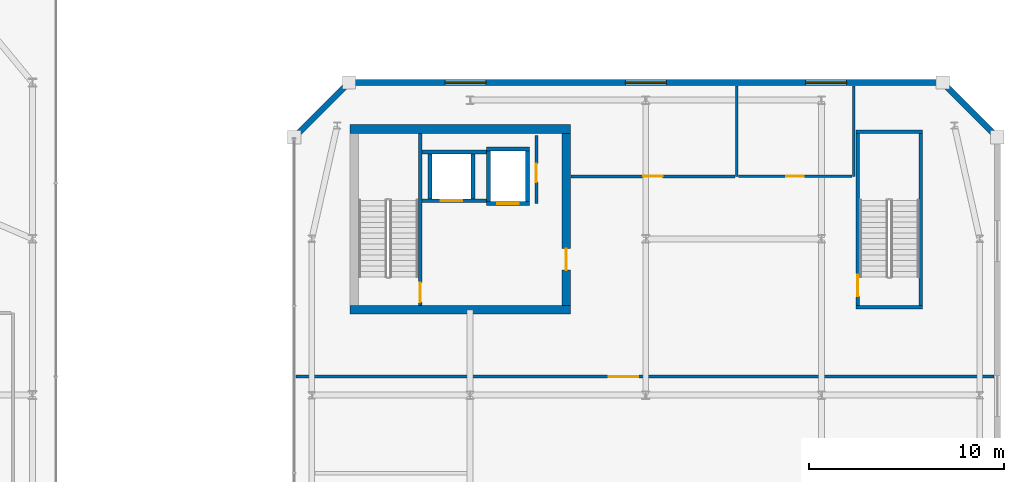
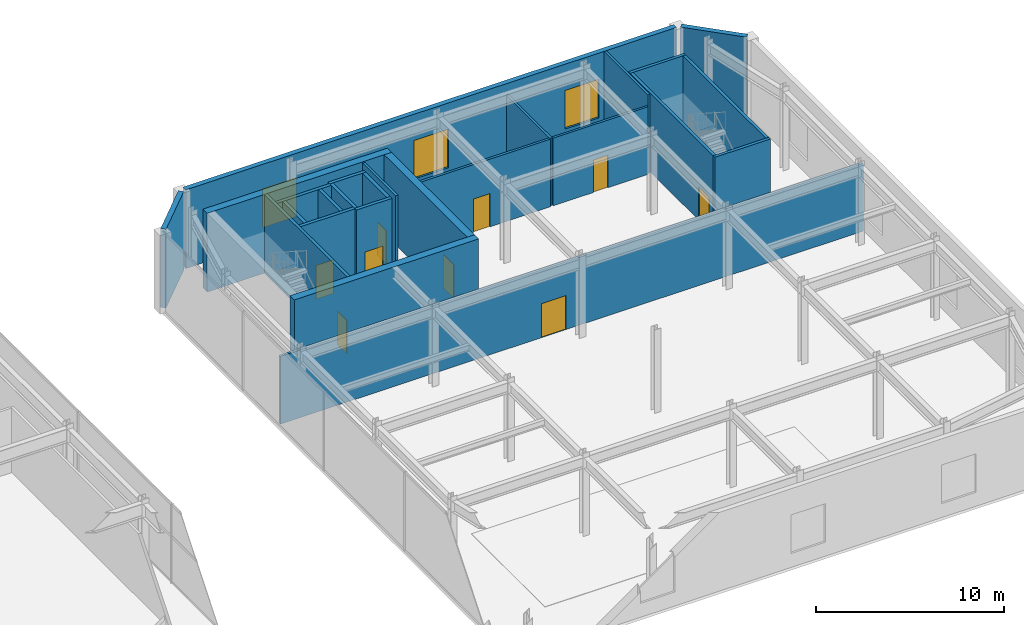
# One storey, part 42 of 51: 25 walls, 9 doors, 3 windows, 12 openings.
"""IFC4 building model written with IfcOpenShell, lengths in metres."""

from ifc_helpers import new_model, si_unit, direction, frame, frame_2d, origin, place, context, subcontext, project, spatial, rectangle, extrude, material, layer, layer_set, type_object, element, fill, save


model = new_model("IFC4")

# Units and contexts
model_context = context("Model", 3, precision=1e-05, world=origin(), true_north=direction((0.0, 1.0)))
body_context = subcontext(model_context, "Body", "Model", "MODEL_VIEW")
ifc_project = project(units=[si_unit("LENGTHUNIT", "METRE"), si_unit("AREAUNIT", "SQUARE_METRE"), si_unit("VOLUMEUNIT", "CUBIC_METRE"), si_unit("PLANEANGLEUNIT", "RADIAN"), si_unit("MASSUNIT", "GRAM", prefix="KILO")], contexts=[model_context])

# Site, building, storey
site_placement = place(None, origin())
site = spatial("IfcSite", under=ifc_project, at=site_placement, CompositionType="ELEMENT")
building_placement = place(site_placement, origin())
building = spatial("IfcBuilding", under=site, at=building_placement, Name="Saevonmaru Cultural Tower", CompositionType="ELEMENT")
storey_placement = place(building_placement, frame((0.0, 0.0, 6.0)))
storey = spatial("IfcBuildingStorey", under=building, at=storey_placement, Name="L01", CompositionType="ELEMENT", Elevation=6.0)

# Wall, opening, door
ifc_material_1 = material(Name="Gypsum Fireboard Partition", Category="gypsum")
ifc_layer_1 = layer(ifc_material_1, 0.14990234375, Name="Gypsum Fireboard Partition")
ifc_layer_set_1 = layer_set([ifc_layer_1], Name="Gypsum Fireboard Partition")
wall_type_1 = type_object("IfcWallType", Name="WL-CORE-PART-150", PredefinedType="PARTITIONING", material=ifc_layer_set_1)
wall_1_placement = place(storey_placement, frame((84.60009765625, 41.800048828125, 0.0), z_axis=(0.0, 0.0, 1.0), x_axis=(0.0, 1.0, 0.0)))
wall_1 = element("IfcWall", 1, at=wall_1_placement, inside=storey, type_object=wall_type_1, Name="L01 Library Core Riser Wall", PredefinedType="PARTITIONING", context=body_context, shape_type="SweptSolid", body=[
    extrude(rectangle(XDim=3.5, YDim=0.14990234375, at=frame_2d((1.75, 0.0))), origin(), (0.0, 0.0, 1.0), 5.10009765625),
])
opening_1_placement = place(wall_1_placement, frame((1.10009765625, 0.0, 0.0)))
opening_1 = element("IfcOpeningElement", 2, at=opening_1_placement, cuts=wall_1, Name="Opening FD-4", PredefinedType="OPENING", context=body_context, shape_type="SweptSolid", body=[
    extrude(rectangle(XDim=0.949951171875, YDim=2.14990234375, at=frame_2d((0.47509765625, 1.074951171875))), frame((0.0, 0.0849609375, 0.0), z_axis=(0.0, -1.0, 0.0), x_axis=(1.0, 0.0, 0.0)), (0.0, 0.0, 1.0), 0.169921875),
])
ifc_material_2 = material(Name="Satin Bronze Anodised Aluminium", Category="aluminium")
door_type_1 = type_object("IfcDoorType", Name="DR-FD60-950", OperationType="SINGLE_SWING_LEFT", PredefinedType="DOOR", material=ifc_material_2)
door_1_placement = place(opening_1_placement, origin())
door_1 = element("IfcDoor", 3, at=door_1_placement, inside=storey, type_object=door_type_1, Name="L01 Library Core Riser Plant Door", OperationType="SINGLE_SWING_LEFT", OverallHeight=2.14990234375, OverallWidth=0.949951171875, PredefinedType="DOOR", context=body_context, shape_type="SweptSolid", body=[
    extrude(rectangle(XDim=0.949951171875, YDim=2.14990234375, at=frame_2d((0.47509765625, 1.074951171875))), frame((0.0, 0.02490234375, 0.0), z_axis=(0.0, -1.0, 0.0), x_axis=(1.0, 0.0, 0.0)), (0.0, 0.0, 1.0), 0.050048828125),
])
fill(opening_1, door_1)

# Wall
ifc_material_3 = material(Name="Warm Limestone Precast Concrete C40/50", Category="masonry")
ifc_layer_2 = layer(ifc_material_3, 0.300048828125, Name="Warm Limestone Precast Concrete C40/50")
ifc_layer_set_2 = layer_set([ifc_layer_2], Name="Warm Limestone Precast Concrete C40/50")
wall_type_2 = type_object("IfcWallType", Name="WL-EXT-LIB-300", PredefinedType="STANDARD", material=ifc_layer_set_2)
wall_2_placement = place(storey_placement, frame((108.0869140625, 45.31298828125, 0.0), z_axis=(0.0, 0.0, 1.0), x_axis=(-0.707073244381, 0.707140316402, 0.0)))
element("IfcWall", 4, at=wall_2_placement, inside=storey, type_object=wall_type_2, Name="L01 Central Library Fluted Stone Wall E5", PredefinedType="STANDARD", context=body_context, shape_type="SweptSolid", body=[
    extrude(rectangle(XDim=3.639892578125, YDim=0.300048828125, at=frame_2d((1.81982421875, 0.0))), origin(), (0.0, 0.0, 1.0), 5.10009765625),
])

# Wall, openings, windows
wall_3_placement = place(storey_placement, frame((105.239990234375, 48.0, 0.0), z_axis=(0.0, 0.0, 1.0), x_axis=(-1.0, 0.0, 0.0)))
wall_3 = element("IfcWall", 5, at=wall_3_placement, inside=storey, type_object=wall_type_2, Name="L01 Central Library Fluted Stone Wall E6", PredefinedType="STANDARD", context=body_context, shape_type="SweptSolid", body=[
    extrude(rectangle(XDim=30.080078125, YDim=0.300048828125, at=frame_2d((15.0400390625, 0.0))), origin(), (0.0, 0.0, 1.0), 5.10009765625),
])
opening_2_placement = place(wall_3_placement, frame((4.762939453125, 0.0, 0.89990234375)))
opening_2 = element("IfcOpeningElement", 6, at=opening_2_placement, cuts=wall_3, Name="Opening W-3", PredefinedType="OPENING", context=body_context, shape_type="SweptSolid", body=[
    extrude(rectangle(XDim=2.10009765625, YDim=2.5, at=frame_2d((1.050048828125, 1.25))), frame((0.0, 0.16015625, 0.0), z_axis=(0.0, -1.0, 0.0), x_axis=(1.0, 0.0, 0.0)), (0.0, 0.0, 1.0), 0.320068359375),
])
opening_3_placement = place(wall_3_placement, frame((13.989990234375, 0.0, 0.89990234375)))
opening_3 = element("IfcOpeningElement", 7, at=opening_3_placement, cuts=wall_3, Name="Opening W-3", PredefinedType="OPENING", context=body_context, shape_type="SweptSolid", body=[
    extrude(rectangle(XDim=2.10009765625, YDim=2.5, at=frame_2d((1.050048828125, 1.25))), frame((0.0, 0.16015625, 0.0), z_axis=(0.0, -1.0, 0.0), x_axis=(1.0, 0.0, 0.0)), (0.0, 0.0, 1.0), 0.320068359375),
])
opening_4_placement = place(wall_3_placement, frame((23.217041015625, 0.0, 0.89990234375)))
opening_4 = element("IfcOpeningElement", 8, at=opening_4_placement, cuts=wall_3, Name="Opening W-3", PredefinedType="OPENING", context=body_context, shape_type="SweptSolid", body=[
    extrude(rectangle(XDim=2.10009765625, YDim=2.5, at=frame_2d((1.050048828125, 1.25))), frame((0.0, 0.16015625, 0.0), z_axis=(0.0, -1.0, 0.0), x_axis=(1.0, 0.0, 0.0)), (0.0, 0.0, 1.0), 0.320068359375),
])
window_type = type_object("IfcWindowType", Name="WN-LIB-2100x2500", PartitioningType="DOUBLE_PANEL_VERTICAL", PredefinedType="WINDOW", material=ifc_material_2)
window_1_placement = place(opening_2_placement, origin())
window_1 = element("IfcWindow", 9, at=window_1_placement, inside=storey, type_object=window_type, Name="L01 Library Reading Window E6-1", OverallHeight=2.5, OverallWidth=2.10009765625, PartitioningType="DOUBLE_PANEL_VERTICAL", PredefinedType="WINDOW", context=body_context, shape_type="SweptSolid", body=[
    extrude(rectangle(XDim=2.10009765625, YDim=2.5, at=frame_2d((1.050048828125, 1.25))), frame((0.0, 0.030029296875, 0.0), z_axis=(0.0, -1.0, 0.0), x_axis=(1.0, 0.0, 0.0)), (0.0, 0.0, 1.0), 0.06005859375),
])
fill(opening_2, window_1)
window_2_placement = place(opening_3_placement, origin())
window_2 = element("IfcWindow", 10, at=window_2_placement, inside=storey, type_object=window_type, Name="L01 Library Reading Window E6-2", OverallHeight=2.5, OverallWidth=2.10009765625, PartitioningType="DOUBLE_PANEL_VERTICAL", PredefinedType="WINDOW", context=body_context, shape_type="SweptSolid", body=[
    extrude(rectangle(XDim=2.10009765625, YDim=2.5, at=frame_2d((1.050048828125, 1.25))), frame((0.0, 0.030029296875, 0.0), z_axis=(0.0, -1.0, 0.0), x_axis=(1.0, 0.0, 0.0)), (0.0, 0.0, 1.0), 0.06005859375),
])
fill(opening_3, window_2)
window_3_placement = place(opening_4_placement, origin())
window_3 = element("IfcWindow", 11, at=window_3_placement, inside=storey, type_object=window_type, Name="L01 Library Reading Window E6-3", OverallHeight=2.5, OverallWidth=2.10009765625, PartitioningType="DOUBLE_PANEL_VERTICAL", PredefinedType="WINDOW", context=body_context, shape_type="SweptSolid", body=[
    extrude(rectangle(XDim=2.10009765625, YDim=2.5, at=frame_2d((1.050048828125, 1.25))), frame((0.0, 0.030029296875, 0.0), z_axis=(0.0, -1.0, 0.0), x_axis=(1.0, 0.0, 0.0)), (0.0, 0.0, 1.0), 0.06005859375),
])
fill(opening_4, window_3)

# Walls
wall_4_placement = place(storey_placement, frame((74.886962890625, 47.886962890625, 0.0), z_axis=(0.0, 0.0, 1.0), x_axis=(-0.707106781187, -0.707106781187, 0.0)))
element("IfcWall", 12, at=wall_4_placement, inside=storey, type_object=wall_type_2, Name="L01 Central Library Fluted Stone Wall E7", PredefinedType="STANDARD", context=body_context, shape_type="SweptSolid", body=[
    extrude(rectangle(XDim=3.64013671875, YDim=0.300048828125, at=frame_2d((1.820068359375, 0.0))), origin(), (0.0, 0.0, 1.0), 5.10009765625),
])
ifc_material_4 = material(Name="Concrete C50/60", Category="concrete")
ifc_layer_3 = layer(ifc_material_4, 0.449951171875, Name="Concrete C50/60")
ifc_layer_set_3 = layer_set([ifc_layer_3], Name="Concrete C50/60")
wall_type_3 = type_object("IfcWallType", Name="WL-LCORE-450", PredefinedType="SHEAR", material=ifc_layer_set_3)
for number, where, z_axis, x_axis, name in (
    (13, (75.050048828125, 36.375, 0.0), (0.0, 0.0, 1.0), (1.0, 0.0, 0.0), "L01 Central Library RC core shear wall S"),
    (14, (75.050048828125, 45.625, 0.0), (0.0, 0.0, 1.0), (1.0, 0.0, 0.0), "L01 Central Library RC core shear wall N"),
):
    element("IfcWall", number, at=place(storey_placement, frame(where, z_axis=z_axis, x_axis=x_axis)), inside=storey, type_object=wall_type_3, Name=name, PredefinedType="SHEAR", context=body_context, shape_type="SweptSolid", body=[
        extrude(rectangle(XDim=11.300048828125, YDim=0.449951171875, at=frame_2d((5.64990234375, 0.0))), origin(), (0.0, 0.0, 1.0), 5.10009765625),
    ])

# Wall, opening, door
wall_5_placement = place(storey_placement, frame((86.125, 36.60009765625, 0.0), z_axis=(0.0, 0.0, 1.0), x_axis=(0.0, 1.0, 0.0)))
wall_5 = element("IfcWall", 15, at=wall_5_placement, inside=storey, type_object=wall_type_3, Name="L01 Central Library RC core shear wall E", PredefinedType="SHEAR", context=body_context, shape_type="SweptSolid", body=[
    extrude(rectangle(XDim=8.7998046875, YDim=0.449951171875, at=frame_2d((4.39990234375, 0.0))), origin(), (0.0, 0.0, 1.0), 5.10009765625),
])
opening_5_placement = place(wall_5_placement, frame((1.800048828125, 0.0, 0.0)))
opening_5 = element("IfcOpeningElement", 16, at=opening_5_placement, cuts=wall_5, Name="Opening FD-2", PredefinedType="OPENING", context=body_context, shape_type="SweptSolid", body=[
    extrude(rectangle(XDim=1.10009765625, YDim=2.14990234375, at=frame_2d((0.550048828125, 1.074951171875))), frame((0.0, 0.23486328125, 0.0), z_axis=(0.0, -1.0, 0.0), x_axis=(1.0, 0.0, 0.0)), (0.0, 0.0, 1.0), 0.469970703125),
])
door_type_2 = type_object("IfcDoorType", Name="DR-FD60-1100", OperationType="SINGLE_SWING_LEFT", PredefinedType="DOOR", material=ifc_material_2)
door_2_placement = place(opening_5_placement, origin())
door_2 = element("IfcDoor", 17, at=door_2_placement, inside=storey, type_object=door_type_2, Name="L01 Library Core Lobby Fire Door", OperationType="SINGLE_SWING_LEFT", OverallHeight=2.14990234375, OverallWidth=1.10009765625, PredefinedType="DOOR", context=body_context, shape_type="SweptSolid", body=[
    extrude(rectangle(XDim=1.10009765625, YDim=2.14990234375, at=frame_2d((0.550048828125, 1.074951171875))), frame((0.0, 0.02490234375, 0.0), z_axis=(0.0, -1.0, 0.0), x_axis=(1.0, 0.0, 0.0)), (0.0, 0.0, 1.0), 0.050048828125),
])
fill(opening_5, door_2)

ifc_layer_4 = layer(ifc_material_1, 0.14990234375, Name="Gypsum Fireboard Partition")
ifc_layer_set_4 = layer_set([ifc_layer_4], Name="Gypsum Fireboard Partition")
wall_type_4 = type_object("IfcWallType", Name="WL-PART-FIRE-150", PredefinedType="PARTITIONING", material=ifc_layer_set_4)
wall_6_placement = place(storey_placement, frame((72.300048828125, 32.949951171875, 0.0), z_axis=(0.0, 0.0, 1.0), x_axis=(1.0, 0.0, 0.0)))
wall_6 = element("IfcWall", 18, at=wall_6_placement, inside=storey, type_object=wall_type_4, Name="L01 Library Reading Hall North Wall", PredefinedType="PARTITIONING", context=body_context, shape_type="SweptSolid", body=[
    extrude(rectangle(XDim=35.72998046875, YDim=0.14990234375, at=frame_2d((17.864990234375, 0.0))), origin(), (0.0, 0.0, 1.0), 4.385009765625),
])
opening_6_placement = place(wall_6_placement, frame((16.014892578125, 0.0, 0.0)))
opening_6 = element("IfcOpeningElement", 19, at=opening_6_placement, cuts=wall_6, Name="Opening ID-0", PredefinedType="OPENING", context=body_context, shape_type="SweptSolid", body=[
    extrude(rectangle(XDim=1.5, YDim=2.199951171875, at=frame_2d((0.75, 1.10009765625))), frame((0.0, 0.0849609375, 0.0), z_axis=(0.0, -1.0, 0.0), x_axis=(1.0, 0.0, 0.0)), (0.0, 0.0, 1.0), 0.169921875),
])
ifc_material_5 = material(Name="Acoustic Stained Oak Timber", Category="wood")
door_type_3 = type_object("IfcDoorType", Name="DR-INT-1500", OperationType="DOUBLE_DOOR_SINGLE_SWING", PredefinedType="DOOR", material=ifc_material_5)
door_3_placement = place(opening_6_placement, origin())
door_3 = element("IfcDoor", 20, at=door_3_placement, inside=storey, type_object=door_type_3, Name="L01 Main Reading Hall Portal Door", OperationType="DOUBLE_DOOR_SINGLE_SWING", OverallHeight=2.199951171875, OverallWidth=1.5, PredefinedType="DOOR", context=body_context, shape_type="SweptSolid", body=[
    extrude(rectangle(XDim=1.5, YDim=2.199951171875, at=frame_2d((0.75, 1.10009765625))), frame((0.0, 0.02490234375, 0.0), z_axis=(0.0, -1.0, 0.0), x_axis=(1.0, 0.0, 0.0)), (0.0, 0.0, 1.0), 0.050048828125),
])
fill(opening_6, door_3)

wall_7_placement = place(storey_placement, frame((86.3701171875, 43.199951171875, 0.0), z_axis=(0.0, 0.0, 1.0), x_axis=(1.0, 0.0, 0.0)))
wall_7 = element("IfcWall", 21, at=wall_7_placement, inside=storey, type_object=wall_type_4, Name="L01 Library Rare Book Room Wall", PredefinedType="PARTITIONING", context=body_context, shape_type="SweptSolid", body=[
    extrude(rectangle(XDim=8.389892578125, YDim=0.14990234375, at=frame_2d((4.19482421875, 0.0))), origin(), (0.0, 0.0, 1.0), 4.385009765625),
])
opening_7_placement = place(wall_7_placement, frame((3.695068359375, 0.0, 0.0)))
opening_7 = element("IfcOpeningElement", 22, at=opening_7_placement, cuts=wall_7, Name="Opening FD-3", PredefinedType="OPENING", context=body_context, shape_type="SweptSolid", body=[
    extrude(rectangle(XDim=1.0, YDim=2.14990234375, at=frame_2d((0.5, 1.074951171875))), frame((0.0, 0.0849609375, 0.0), z_axis=(0.0, -1.0, 0.0), x_axis=(1.0, 0.0, 0.0)), (0.0, 0.0, 1.0), 0.169921875),
])
door_type_4 = type_object("IfcDoorType", Name="DR-FD60-1000", OperationType="SINGLE_SWING_RIGHT", PredefinedType="DOOR", material=ifc_material_2)
door_4_placement = place(opening_7_placement, origin())
door_4 = element("IfcDoor", 23, at=door_4_placement, inside=storey, type_object=door_type_4, Name="L01 Rare Book Archive Door", OperationType="SINGLE_SWING_RIGHT", OverallHeight=2.14990234375, OverallWidth=1.0, PredefinedType="DOOR", context=body_context, shape_type="SweptSolid", body=[
    extrude(rectangle(XDim=1.0, YDim=2.14990234375, at=frame_2d((0.5, 1.074951171875))), frame((0.0, 0.02490234375, 0.0), z_axis=(0.0, -1.0, 0.0), x_axis=(1.0, 0.0, 0.0)), (0.0, 0.0, 1.0), 0.050048828125),
])
fill(opening_7, door_4)

# Walls
ifc_layer_5 = layer(ifc_material_1, 0.139892578125, Name="Gypsum Fireboard Partition")
ifc_layer_set_5 = layer_set([ifc_layer_5], Name="Gypsum Fireboard Partition")
wall_type_5 = type_object("IfcWallType", Name="WL-PART-WET-140", PredefinedType="PARTITIONING", material=ifc_layer_set_5)
wall_8_placement = place(storey_placement, frame((94.85009765625, 43.199951171875, 0.0), z_axis=(0.0, 0.0, 1.0), x_axis=(0.0, 1.0, 0.0)))
element("IfcWall", 24, at=wall_8_placement, inside=storey, type_object=wall_type_5, Name="L01 Library Archive-Washroom Divider", PredefinedType="PARTITIONING", context=body_context, shape_type="SweptSolid", body=[
    extrude(rectangle(XDim=4.630126953125, YDim=0.139892578125, at=frame_2d((2.31494140625, 0.0))), origin(), (0.0, 0.0, 1.0), 4.385009765625),
])
wall_9_placement = place(storey_placement, frame((100.85009765625, 43.199951171875, 0.0), z_axis=(0.0, 0.0, 1.0), x_axis=(0.0, 1.0, 0.0)))
element("IfcWall", 25, at=wall_9_placement, inside=storey, type_object=wall_type_5, Name="L01 Library Washroom East Wall", PredefinedType="PARTITIONING", context=body_context, shape_type="SweptSolid", body=[
    extrude(rectangle(XDim=4.630126953125, YDim=0.139892578125, at=frame_2d((2.31494140625, 0.0))), origin(), (0.0, 0.0, 1.0), 5.10009765625),
])

# Wall, opening, door
wall_10_placement = place(storey_placement, frame((94.93994140625, 43.199951171875, 0.0), z_axis=(0.0, 0.0, 1.0), x_axis=(1.0, 0.0, 0.0)))
wall_10 = element("IfcWall", 26, at=wall_10_placement, inside=storey, type_object=wall_type_5, Name="L01 Library Washroom Wall", PredefinedType="PARTITIONING", context=body_context, shape_type="SweptSolid", body=[
    extrude(rectangle(XDim=5.820068359375, YDim=0.139892578125, at=frame_2d((2.91015625, 0.0))), origin(), (0.0, 0.0, 1.0), 4.385009765625),
])
opening_8_placement = place(wall_10_placement, frame((2.4599609375, 0.0, 0.0)))
opening_8 = element("IfcOpeningElement", 27, at=opening_8_placement, cuts=wall_10, Name="Opening ID-2", PredefinedType="OPENING", context=body_context, shape_type="SweptSolid", body=[
    extrude(rectangle(XDim=0.89990234375, YDim=2.10009765625, at=frame_2d((0.449951171875, 1.050048828125))), frame((0.0, 0.080078125, 0.0), z_axis=(0.0, -1.0, 0.0), x_axis=(1.0, 0.0, 0.0)), (0.0, 0.0, 1.0), 0.159912109375),
])
door_type_5 = type_object("IfcDoorType", Name="DR-INT-900", OperationType="SINGLE_SWING_RIGHT", PredefinedType="DOOR", material=ifc_material_5)
door_5_placement = place(opening_8_placement, origin())
door_5 = element("IfcDoor", 28, at=door_5_placement, inside=storey, type_object=door_type_5, Name="L01 Library Accessible Washroom Door", OperationType="SINGLE_SWING_LEFT", OverallHeight=2.10009765625, OverallWidth=0.89990234375, PredefinedType="DOOR", context=body_context, shape_type="SweptSolid", body=[
    extrude(rectangle(XDim=0.89990234375, YDim=2.10009765625, at=frame_2d((0.449951171875, 1.050048828125))), frame((0.0, 0.02490234375, 0.0), z_axis=(0.0, -1.0, 0.0), x_axis=(1.0, 0.0, 0.0)), (0.0, 0.0, 1.0), 0.050048828125),
])
fill(opening_8, door_5)

ifc_material_6 = material(Name="Concrete C40/50", Category="concrete")
ifc_layer_6 = layer(ifc_material_6, 0.199951171875, Name="Concrete C40/50")
ifc_layer_set_6 = layer_set([ifc_layer_6], Name="Concrete C40/50")
wall_type_6 = type_object("IfcWallType", Name="WL-SHAFT-200", PredefinedType="SHEAR", material=ifc_layer_set_6)
wall_11_placement = place(storey_placement, frame((78.72998046875, 41.949951171875, 0.0), z_axis=(0.0, 0.0, 1.0), x_axis=(1.0, 0.0, 0.0)))
wall_11 = element("IfcWall", 29, at=wall_11_placement, inside=storey, type_object=wall_type_6, Name="L01 Lift LLF-1 Hoistway Wall S", PredefinedType="SHEAR", context=body_context, shape_type="SweptSolid", body=[
    extrude(rectangle(XDim=3.320068359375, YDim=0.199951171875, at=frame_2d((1.66015625, 0.0))), origin(), (0.0, 0.0, 1.0), 5.10009765625),
])
opening_9_placement = place(wall_11_placement, frame((0.969970703125, 0.0, 0.0)))
opening_9 = element("IfcOpeningElement", 30, at=opening_9_placement, cuts=wall_11, Name="Opening LD-1", PredefinedType="OPENING", context=body_context, shape_type="SweptSolid", body=[
    extrude(rectangle(XDim=1.10009765625, YDim=2.199951171875, at=frame_2d((0.550048828125, 1.10009765625))), frame((0.0, 0.10986328125, 0.0), z_axis=(0.0, -1.0, 0.0), x_axis=(1.0, 0.0, 0.0)), (0.0, 0.0, 1.0), 0.219970703125),
])
ifc_material_7 = material(Name="Satin Bronze Stainless Steel", Category="steel")
door_type_6 = type_object("IfcDoorType", Name="DR-LIFT-1100", OperationType="SLIDING_TO_LEFT", PredefinedType="DOOR", material=ifc_material_7)
door_6_placement = place(opening_9_placement, origin())
door_6 = element("IfcDoor", 31, at=door_6_placement, inside=storey, type_object=door_type_6, Name="L01 Lift LLF-1 Sliding Landing Door", OperationType="SLIDING_TO_LEFT", OverallHeight=2.199951171875, OverallWidth=1.10009765625, PredefinedType="DOOR", context=body_context, shape_type="SweptSolid", body=[
    extrude(rectangle(XDim=1.10009765625, YDim=2.199951171875, at=frame_2d((0.550048828125, 1.10009765625))), frame((0.0, 0.02490234375, 0.0), z_axis=(0.0, -1.0, 0.0), x_axis=(1.0, 0.0, 0.0)), (0.0, 0.0, 1.0), 0.050048828125),
])
fill(opening_9, door_6)

# Walls
wall_12_placement = place(storey_placement, frame((78.72998046875, 44.449951171875, 0.0), z_axis=(0.0, 0.0, 1.0), x_axis=(1.0, 0.0, 0.0)))
element("IfcWall", 32, at=wall_12_placement, inside=storey, type_object=wall_type_6, Name="L01 Lift LLF-1 Hoistway Wall N", PredefinedType="SHEAR", context=body_context, shape_type="SweptSolid", body=[
    extrude(rectangle(XDim=3.320068359375, YDim=0.199951171875, at=frame_2d((1.66015625, 0.0))), origin(), (0.0, 0.0, 1.0), 5.10009765625),
])
for number, where, z_axis, x_axis, name in (
    (33, (79.14990234375, 42.050048828125, 0.0), (0.0, 0.0, 1.0), (0.0, 1.0, 0.0), "L01 Lift LLF-1 Hoistway Wall W"),
    (34, (81.35009765625, 42.050048828125, 0.0), (0.0, 0.0, 1.0), (0.0, 1.0, 0.0), "L01 Lift LLF-1 Hoistway Wall E"),
):
    element("IfcWall", number, at=place(storey_placement, frame(where, z_axis=z_axis, x_axis=x_axis)), inside=storey, type_object=wall_type_6, Name=name, PredefinedType="SHEAR", context=body_context, shape_type="SweptSolid", body=[
        extrude(rectangle(XDim=2.300048828125, YDim=0.199951171875, at=frame_2d((1.14990234375, 0.0))), origin(), (0.0, 0.0, 1.0), 5.10009765625),
    ])

# Wall, opening, door
wall_13_placement = place(storey_placement, frame((82.050048828125, 41.800048828125, 0.0), z_axis=(0.0, 0.0, 1.0), x_axis=(1.0, 0.0, 0.0)))
wall_13 = element("IfcWall", 35, at=wall_13_placement, inside=storey, type_object=wall_type_6, Name="L01 Lift LLF-2 Hoistway Wall S", PredefinedType="SHEAR", context=body_context, shape_type="SweptSolid", body=[
    extrude(rectangle(XDim=2.199951171875, YDim=0.199951171875, at=frame_2d((1.10009765625, 0.0))), origin(), (0.0, 0.0, 1.0), 5.10009765625),
])
opening_10_placement = place(wall_13_placement, frame((0.550048828125, 0.0, 0.0)))
opening_10 = element("IfcOpeningElement", 36, at=opening_10_placement, cuts=wall_13, Name="Opening LD-1", PredefinedType="OPENING", context=body_context, shape_type="SweptSolid", body=[
    extrude(rectangle(XDim=1.10009765625, YDim=2.199951171875, at=frame_2d((0.550048828125, 1.10009765625))), frame((0.0, 0.10986328125, 0.0), z_axis=(0.0, -1.0, 0.0), x_axis=(1.0, 0.0, 0.0)), (0.0, 0.0, 1.0), 0.219970703125),
])
door_7_placement = place(opening_10_placement, origin())
door_7 = element("IfcDoor", 37, at=door_7_placement, inside=storey, type_object=door_type_6, Name="L01 Lift LLF-2 Sliding Landing Door", OperationType="SLIDING_TO_LEFT", OverallHeight=2.199951171875, OverallWidth=1.10009765625, PredefinedType="DOOR", context=body_context, shape_type="SweptSolid", body=[
    extrude(rectangle(XDim=1.10009765625, YDim=2.199951171875, at=frame_2d((0.550048828125, 1.10009765625))), frame((0.0, 0.02490234375, 0.0), z_axis=(0.0, -1.0, 0.0), x_axis=(1.0, 0.0, 0.0)), (0.0, 0.0, 1.0), 0.050048828125),
])
fill(opening_10, door_7)

# Walls
wall_14_placement = place(storey_placement, frame((82.050048828125, 44.60009765625, 0.0), z_axis=(0.0, 0.0, 1.0), x_axis=(1.0, 0.0, 0.0)))
element("IfcWall", 38, at=wall_14_placement, inside=storey, type_object=wall_type_6, Name="L01 Lift LLF-2 Hoistway Wall N", PredefinedType="SHEAR", context=body_context, shape_type="SweptSolid", body=[
    extrude(rectangle(XDim=2.199951171875, YDim=0.199951171875, at=frame_2d((1.10009765625, 0.0))), origin(), (0.0, 0.0, 1.0), 5.10009765625),
])
for number, where, z_axis, x_axis, name in (
    (39, (82.14990234375, 41.89990234375, 0.0), (0.0, 0.0, 1.0), (0.0, 1.0, 0.0), "L01 Lift LLF-2 Hoistway Wall W"),
    (40, (84.14990234375, 41.89990234375, 0.0), (0.0, 0.0, 1.0), (0.0, 1.0, 0.0), "L01 Lift LLF-2 Hoistway Wall E"),
):
    element("IfcWall", number, at=place(storey_placement, frame(where, z_axis=z_axis, x_axis=x_axis)), inside=storey, type_object=wall_type_6, Name=name, PredefinedType="SHEAR", context=body_context, shape_type="SweptSolid", body=[
        extrude(rectangle(XDim=2.60009765625, YDim=0.199951171875, at=frame_2d((1.300048828125, 0.0))), origin(), (0.0, 0.0, 1.0), 5.10009765625),
    ])

# Wall, opening, door
ifc_layer_7 = layer(ifc_material_6, 0.179931640625, Name="Concrete C40/50")
ifc_layer_set_7 = layer_set([ifc_layer_7], Name="Concrete C40/50")
wall_type_7 = type_object("IfcWallType", Name="WL-STSHAFT-180", PredefinedType="SHEAR", material=ifc_layer_set_7)
wall_15_placement = place(storey_placement, frame((78.639892578125, 36.60009765625, 0.0), z_axis=(0.0, 0.0, 1.0), x_axis=(0.0, 1.0, 0.0)))
wall_15 = element("IfcWall", 41, at=wall_15_placement, inside=storey, type_object=wall_type_7, Name="L01 Stair LST-1 Structural Shaft Wall 1", PredefinedType="SHEAR", context=body_context, shape_type="SweptSolid", body=[
    extrude(rectangle(XDim=8.7998046875, YDim=0.179931640625, at=frame_2d((4.39990234375, 0.0))), origin(), (0.0, 0.0, 1.0), 5.10009765625),
])
opening_11_placement = place(wall_15_placement, frame((0.159912109375, 0.0, 0.0)))
opening_11 = element("IfcOpeningElement", 42, at=opening_11_placement, cuts=wall_15, Name="Opening FD-3", PredefinedType="OPENING", context=body_context, shape_type="SweptSolid", body=[
    extrude(rectangle(XDim=1.0, YDim=2.14990234375, at=frame_2d((0.5, 1.074951171875))), frame((0.0, 0.10009765625, 0.0), z_axis=(0.0, -1.0, 0.0), x_axis=(1.0, 0.0, 0.0)), (0.0, 0.0, 1.0), 0.199951171875),
])
door_8_placement = place(opening_11_placement, origin())
door_8 = element("IfcDoor", 43, at=door_8_placement, inside=storey, type_object=door_type_4, Name="L01 Protected Stair LST-1 Fire Door", OperationType="SINGLE_SWING_RIGHT", OverallHeight=2.14990234375, OverallWidth=1.0, PredefinedType="DOOR", context=body_context, shape_type="SweptSolid", body=[
    extrude(rectangle(XDim=1.0, YDim=2.14990234375, at=frame_2d((0.5, 1.074951171875))), frame((0.0, 0.02490234375, 0.0), z_axis=(0.0, -1.0, 0.0), x_axis=(1.0, 0.0, 0.0)), (0.0, 0.0, 1.0), 0.050048828125),
])
fill(opening_11, door_8)

wall_16_placement = place(storey_placement, frame((101.06005859375, 45.39990234375, 0.0), z_axis=(0.0, 0.0, 1.0), x_axis=(0.0, -1.0, 0.0)))
wall_16 = element("IfcWall", 44, at=wall_16_placement, inside=storey, type_object=wall_type_7, Name="L01 Stair LST-2 Structural Shaft Wall 1", PredefinedType="SHEAR", context=body_context, shape_type="SweptSolid", body=[
    extrude(rectangle(XDim=8.7998046875, YDim=0.179931640625, at=frame_2d((4.39990234375, 0.0))), origin(), (0.0, 0.0, 1.0), 5.10009765625),
])
opening_12_placement = place(wall_16_placement, frame((7.25, 0.0, 0.0)))
opening_12 = element("IfcOpeningElement", 45, at=opening_12_placement, cuts=wall_16, Name="Opening FD-2", PredefinedType="OPENING", context=body_context, shape_type="SweptSolid", body=[
    extrude(rectangle(XDim=1.10009765625, YDim=2.14990234375, at=frame_2d((0.550048828125, 1.074951171875))), frame((0.0, 0.10009765625, 0.0), z_axis=(0.0, -1.0, 0.0), x_axis=(1.0, 0.0, 0.0)), (0.0, 0.0, 1.0), 0.199951171875),
])
door_9_placement = place(opening_12_placement, origin())
door_9 = element("IfcDoor", 46, at=door_9_placement, inside=storey, type_object=door_type_2, Name="L01 Protected Stair LST-2 Fire Door", OperationType="SINGLE_SWING_LEFT", OverallHeight=2.14990234375, OverallWidth=1.10009765625, PredefinedType="DOOR", context=body_context, shape_type="SweptSolid", body=[
    extrude(rectangle(XDim=1.10009765625, YDim=2.14990234375, at=frame_2d((0.550048828125, 1.074951171875))), frame((0.0, 0.02490234375, 0.0), z_axis=(0.0, -1.0, 0.0), x_axis=(1.0, 0.0, 0.0)), (0.0, 0.0, 1.0), 0.050048828125),
])
fill(opening_12, door_9)

# Walls
wall_17_placement = place(storey_placement, frame((100.969970703125, 36.510009765625, 0.0), z_axis=(0.0, 0.0, 1.0), x_axis=(1.0, 0.0, 0.0)))
element("IfcWall", 47, at=wall_17_placement, inside=storey, type_object=wall_type_7, Name="L01 Stair LST-2 Structural Shaft Wall 2", PredefinedType="SHEAR", context=body_context, shape_type="SweptSolid", body=[
    extrude(rectangle(XDim=3.409912109375, YDim=0.179931640625, at=frame_2d((1.705078125, 0.0))), origin(), (0.0, 0.0, 1.0), 5.10009765625),
])
wall_18_placement = place(storey_placement, frame((104.2900390625, 36.60009765625, 0.0), z_axis=(0.0, 0.0, 1.0), x_axis=(0.0, 1.0, 0.0)))
element("IfcWall", 48, at=wall_18_placement, inside=storey, type_object=wall_type_7, Name="L01 Stair LST-2 Structural Shaft Wall 3", PredefinedType="SHEAR", context=body_context, shape_type="SweptSolid", body=[
    extrude(rectangle(XDim=8.7998046875, YDim=0.179931640625, at=frame_2d((4.39990234375, 0.0))), origin(), (0.0, 0.0, 1.0), 5.10009765625),
])
wall_19_placement = place(storey_placement, frame((104.3798828125, 45.489990234375, 0.0), z_axis=(0.0, 0.0, 1.0), x_axis=(-1.0, 0.0, 0.0)))
element("IfcWall", 49, at=wall_19_placement, inside=storey, type_object=wall_type_7, Name="L01 Stair LST-2 Structural Shaft Wall 4", PredefinedType="SHEAR", context=body_context, shape_type="SweptSolid", body=[
    extrude(rectangle(XDim=3.409912109375, YDim=0.179931640625, at=frame_2d((1.705078125, 0.0))), origin(), (0.0, 0.0, 1.0), 5.10009765625),
])

save(model, "model.ifc")
